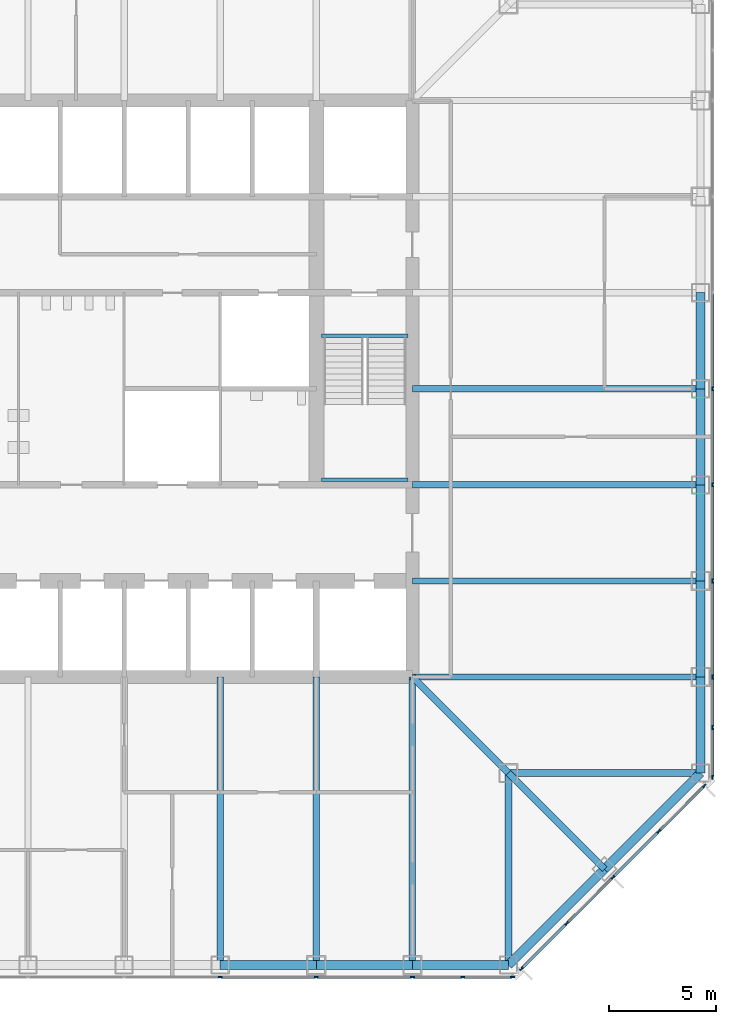
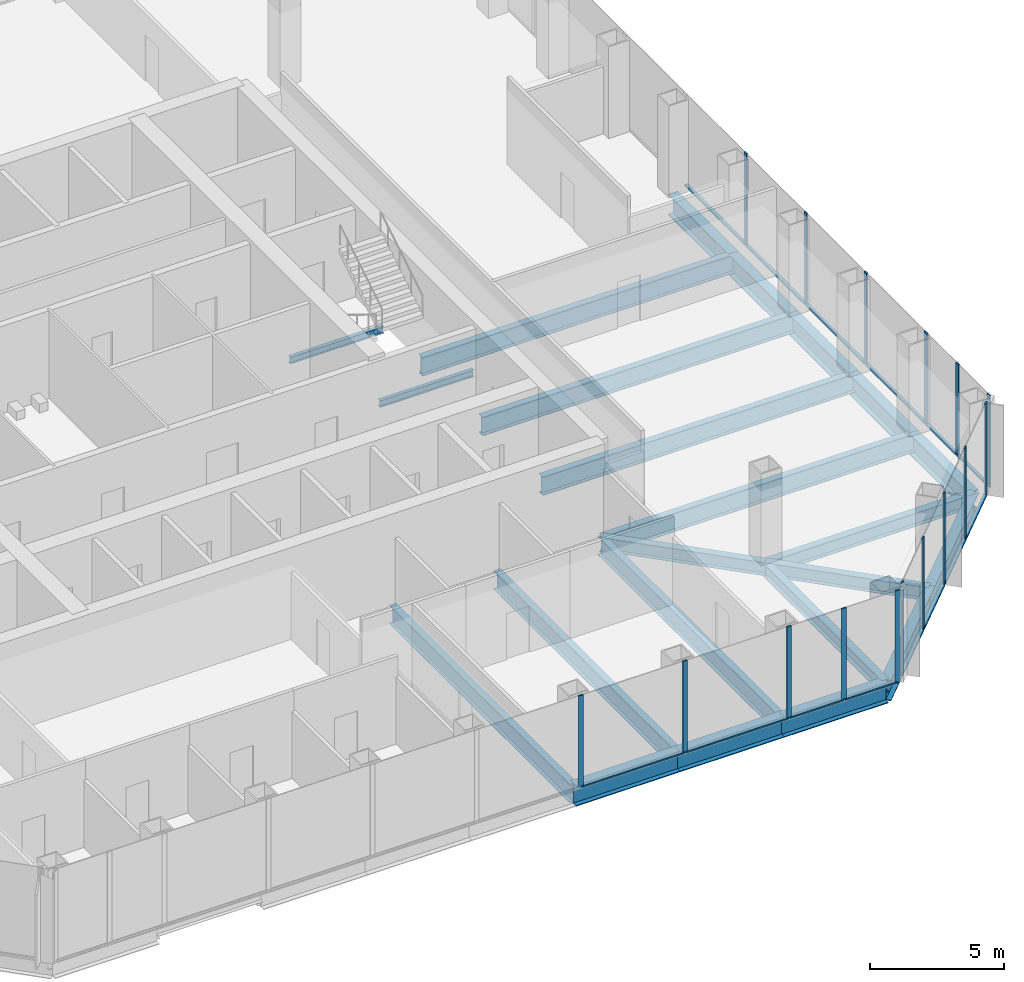
# One storey, part 4 of 12: 30 members, 23 beams, 3 elements without a shape of their own.
"""IFC4 building model written with IfcOpenShell, lengths in metres."""

import ifcopenshell
import ifcopenshell.guid

model = None  # the IFC model being written
_history = None  # IfcOwnerHistory: only IFC2X3 demands one
_inside = {}  # id of a spatial element -> (the spatial element, [elements in it])
_under = {}  # id of a project, library or spatial element -> (it, [spatial elements below it])
_declared = {}  # id of a project -> (the project, [libraries it declares])
_typed = {}  # id of a type object -> (the type object, [elements of that type])
_made_of = {}  # id of a material, layer set ... -> (it, [elements and type objects made of it])


def new_model(schema):
    """Start an empty IFC model of exactly this schema.

    Asked for "IFC4X3", IfcOpenShell would pick the latest addendum, in which some entities
    have other attributes; the version numbers below select the first issue.
    IFC2X3 requires an IfcOwnerHistory on every rooted entity: one is made here for all.
    """
    global model, _history
    if schema == "IFC4X3":
        model = ifcopenshell.file(schema_version=(4, 3, 0, 0))
    else:
        model = ifcopenshell.file(schema=schema)
    _inside.clear()
    _under.clear()
    _declared.clear()
    _typed.clear()
    _made_of.clear()
    _history = None
    if model.schema == "IFC2X3":
        org = make("IfcOrganization", Name="unknown")
        user = make(
            "IfcPersonAndOrganization",
            ThePerson=make("IfcPerson", FamilyName="unknown"),
            TheOrganization=org,
        )
        app = make(
            "IfcApplication",
            ApplicationDeveloper=org,
            Version="unknown",
            ApplicationFullName="unknown",
            ApplicationIdentifier="unknown",
        )
        _history = make(
            "IfcOwnerHistory",
            OwningUser=user,
            OwningApplication=app,
            ChangeAction="ADDED",
            CreationDate=0,
        )
    return model


def make(cls, **values):
    """One entity of the class cls with the attributes given. An attribute that is None is left unset."""
    return model.create_entity(
        cls, **{name: value for name, value in values.items() if value is not None}
    )


def rooted(cls, **values):
    """An entity with a GlobalId (a new one), such as an element, a storey or a relation."""
    return make(cls, GlobalId=ifcopenshell.guid.new(), OwnerHistory=_history, **values)


def si_unit(unit_type, name, prefix=None):
    """IfcSIUnit, for example si_unit("LENGTHUNIT", "METRE", prefix="MILLI")."""
    return make("IfcSIUnit", UnitType=unit_type, Prefix=prefix, Name=name)


def assignment(units):
    """IfcUnitAssignment: the units of a project."""
    return None if units is None else make("IfcUnitAssignment", Units=units)


def point(xyz):
    """IfcCartesianPoint."""
    return None if xyz is None else make("IfcCartesianPoint", Coordinates=xyz)


def direction(xyz):
    """IfcDirection."""
    return None if xyz is None else make("IfcDirection", DirectionRatios=xyz)


def frame(location, z_axis=None, x_axis=None):
    """IfcAxis2Placement3D, a coordinate frame: its origin and axes. An axis left out is left unset."""
    return make(
        "IfcAxis2Placement3D",
        Location=point(location),
        Axis=direction(z_axis),
        RefDirection=direction(x_axis),
    )


def frame_2d(location, x_axis=None):
    """IfcAxis2Placement2D, a coordinate frame in the plane: its origin and x axis."""
    return make(
        "IfcAxis2Placement2D", Location=point(location), RefDirection=direction(x_axis)
    )


def origin():
    """The frame at (0, 0, 0) with its axes left unset."""
    return frame((0.0, 0.0, 0.0))


def origin_2d():
    """The frame at (0, 0) in the plane with its x axis left unset."""
    return frame_2d((0.0, 0.0))


def place(relative_to, where):
    """IfcLocalPlacement: puts the frame where relative to a parent placement (None: the world)."""
    return make(
        "IfcLocalPlacement", PlacementRelTo=relative_to, RelativePlacement=where
    )


def context(
    kind, dimensions, precision=None, world=None, true_north=None, identifier=None
):
    """IfcGeometricRepresentationContext, for example the 3D "Model" context."""
    return make(
        "IfcGeometricRepresentationContext",
        ContextIdentifier=identifier,
        ContextType=kind,
        CoordinateSpaceDimension=dimensions,
        Precision=precision,
        WorldCoordinateSystem=world,
        TrueNorth=true_north,
    )


def subcontext(parent, identifier, kind, view, scale=None):
    """IfcGeometricRepresentationSubContext, for example "Body" below "Model"."""
    return make(
        "IfcGeometricRepresentationSubContext",
        ContextIdentifier=identifier,
        ContextType=kind,
        ParentContext=parent,
        TargetScale=scale,
        TargetView=view,
    )


def project(units=None, contexts=None):
    """IfcProject with its units and contexts."""
    return rooted(
        "IfcProject",
        Name="project",
        RepresentationContexts=contexts,
        UnitsInContext=assignment(units),
    )


def spatial(cls, under=None, at=None, **own):
    """A site, building, storey or space (cls), placed at a placement, below another one or the project."""
    s = rooted(cls, ObjectPlacement=at, **own)
    if under is not None:
        _under.setdefault(under.id(), (under, []))[1].append(s)
    return s


def profile(cls, at=None, kind="AREA", **sizes):
    """A parametric profile (cls). Its sizes go by their IFC names, for example OverallWidth=200.0."""
    return make(cls, ProfileType=kind, Position=at, **sizes)


def rectangle(**sizes):
    """IfcRectangleProfileDef."""
    return profile("IfcRectangleProfileDef", **sizes)


def i_section(**sizes):
    """IfcIShapeProfileDef."""
    return profile("IfcIShapeProfileDef", **sizes)


def extrude(swept, where, along, depth):
    """IfcExtrudedAreaSolid: the profile swept, set in the frame where, extruded along a direction by depth."""
    return make(
        "IfcExtrudedAreaSolid",
        SweptArea=swept,
        Position=where,
        ExtrudedDirection=direction(along),
        Depth=depth,
    )


def shape(context_of_items, identifier, shape_type, items):
    """IfcShapeRepresentation: the items that make up one representation, for example the "Body"."""
    return make(
        "IfcShapeRepresentation",
        ContextOfItems=context_of_items,
        RepresentationIdentifier=identifier,
        RepresentationType=shape_type,
        Items=items,
    )


def material(Name=None, Category=None):
    """IfcMaterial."""
    return make("IfcMaterial", Name=Name, Category=Category)


def material_profile(
    of_material, cross_section, Name=None, Category=None, Priority=None
):
    """IfcMaterialProfile: a cross section and its material."""
    return make(
        "IfcMaterialProfile",
        Name=Name,
        Material=of_material,
        Profile=cross_section,
        Priority=Priority,
        Category=Category,
    )


def profile_set(profiles, Name=None, composite=None):
    """IfcMaterialProfileSet."""
    return make(
        "IfcMaterialProfileSet",
        Name=Name,
        MaterialProfiles=profiles,
        CompositeProfile=composite,
    )


def made_of(thing, what):
    """Note that an element or type object is made of a material, layer set ...; save() writes the relation."""
    if what is not None:
        _made_of.setdefault(what.id(), (what, []))[1].append(thing)
    return thing


def type_object(cls, material=None, **own):
    """A type object (cls), such as IfcWallType, which elements share."""
    return made_of(rooted(cls, **own), material)


def element(
    cls,
    number,
    at=None,
    inside=None,
    cuts=None,
    type_object=None,
    material=None,
    context=None,
    identifier="Body",
    shape_type=None,
    held_by="IfcProductDefinitionShape",
    body=None,
    shapes=None,
    **own,
):
    """One element of the class cls, such as IfcWall. Its Tag is "e" and its number.

    at: its placement. inside: the storey or other place that contains it. cuts: it is an
    opening in that element (IfcRelVoidsElement). A single representation is given by context,
    identifier, shape_type and body (its items); several are given by shapes. held_by: the class
    of the entity that holds the representations. save() writes the other relations.
    """
    e = rooted(cls, Tag="e%d" % number, ObjectPlacement=at, **own)
    if body is not None:
        shapes = [shape(context, identifier, shape_type, body)]
    if shapes is not None:
        e.Representation = make(held_by, Representations=shapes)
    if inside is not None:
        _inside.setdefault(inside.id(), (inside, []))[1].append(e)
    if cuts is not None:
        rooted(
            "IfcRelVoidsElement", RelatingBuildingElement=cuts, RelatedOpeningElement=e
        )
    if type_object is not None:
        _typed.setdefault(type_object.id(), (type_object, []))[1].append(e)
    return made_of(e, material)


def aggregate(whole, parts):
    """IfcRelAggregates: a whole, such as a stair, and the parts it consists of."""
    return rooted("IfcRelAggregates", RelatingObject=whole, RelatedObjects=parts)


def save(model, path):
    """Write the relations noted so far, then the file.

    IfcRelAggregates (storeys below a building ...), IfcRelContainedInSpatialStructure (elements
    in a storey), IfcRelDefinesByType, IfcRelAssociatesMaterial and IfcRelDeclares: one each for
    every whole, place, type object, material and project.
    """
    for whole, parts in _under.values():
        aggregate(whole, parts)
    for where, things in _inside.values():
        rooted(
            "IfcRelContainedInSpatialStructure",
            RelatedElements=things,
            RelatingStructure=where,
        )
    for kind, things in _typed.values():
        rooted("IfcRelDefinesByType", RelatedObjects=things, RelatingType=kind)
    for what, things in _made_of.values():
        rooted("IfcRelAssociatesMaterial", RelatedObjects=things, RelatingMaterial=what)
    for by, libraries in _declared.values():
        rooted("IfcRelDeclares", RelatingContext=by, RelatedDefinitions=libraries)
    model.write(path)


model = new_model("IFC4")

# Units and contexts
model_context = context("Model", 3, precision=1e-05, world=origin(), true_north=direction((0.0, 1.0)))
body_context = subcontext(model_context, "Body", "Model", "MODEL_VIEW")
ifc_project = project(units=[si_unit("LENGTHUNIT", "METRE"), si_unit("AREAUNIT", "SQUARE_METRE"), si_unit("VOLUMEUNIT", "CUBIC_METRE"), si_unit("PLANEANGLEUNIT", "RADIAN"), si_unit("MASSUNIT", "GRAM", prefix="KILO")], contexts=[model_context])

# Site, building, storey
site_placement = place(None, origin())
site = spatial("IfcSite", under=ifc_project, at=site_placement, CompositionType="ELEMENT")
building_placement = place(site_placement, origin())
building = spatial("IfcBuilding", under=site, at=building_placement, Name="Corais Broadcast Tower", CompositionType="ELEMENT")
storey_placement = place(building_placement, frame((0.0, 0.0, 100.39990234375)))
storey = spatial("IfcBuildingStorey", under=building, at=storey_placement, Name="L22", CompositionType="ELEMENT", Elevation=100.39990234375)

# Beams
ifc_material_1 = material(Name="Steel ASTM A572 Grade 50", Category="steel")
ifc_material_profile_1 = material_profile(ifc_material_1, i_section(OverallWidth=0.323974609375, OverallDepth=0.611083984375, WebThickness=0.0126953125, FlangeThickness=0.01904296875, at=origin_2d()), Name="W610x155")
ifc_profile_set_1 = profile_set([ifc_material_profile_1], Name="Steel ASTM A572 Grade 50")
beam_type_1 = type_object("IfcBeamType", Name="Chamfer tie W610x155", PredefinedType="BEAM", material=ifc_profile_set_1)
beam_1_placement = place(storey_placement, frame((49.5, 4.5, -0.46533203125), z_axis=(-0.707106781187, 0.707106781187, 0.0), x_axis=(-0.707106781187, -0.707106781187, 0.0)))
element("IfcBeam", 1, at=beam_1_placement, inside=storey, type_object=beam_type_1, Name="B5 B/14 to C/13", PredefinedType="BEAM", context=body_context, shape_type="SweptSolid", body=[
    extrude(i_section(OverallWidth=0.323974609375, OverallDepth=0.611083984375, WebThickness=0.0126953125, FlangeThickness=0.01904296875, at=origin_2d()), origin(), (0.0, 0.0, 1.0), 6.364013671875),
])
ifc_material_2 = material(Name="Steel ASTM A572 Grade 50", Category="steel")
ifc_material_profile_2 = material_profile(ifc_material_2, i_section(OverallWidth=0.323974609375, OverallDepth=0.611083984375, WebThickness=0.0126953125, FlangeThickness=0.01904296875, at=origin_2d()), Name="W610x155")
ifc_profile_set_2 = profile_set([ifc_material_profile_2], Name="Steel ASTM A572 Grade 50")
beam_type_2 = type_object("IfcBeamType", Name="Corner diagonal W610x155", PredefinedType="BEAM", material=ifc_profile_set_2)
beam_2_placement = place(storey_placement, frame((45.0, 9.0, -0.46533203125), z_axis=(-0.707106781187, 0.707106781187, 0.0), x_axis=(-0.707106781187, -0.707106781187, 0.0)))
element("IfcBeam", 2, at=beam_2_placement, inside=storey, type_object=beam_type_2, Name="B6 C/13 to D/12", PredefinedType="BEAM", context=body_context, shape_type="SweptSolid", body=[
    extrude(i_section(OverallWidth=0.323974609375, OverallDepth=0.611083984375, WebThickness=0.0126953125, FlangeThickness=0.01904296875, at=origin_2d()), origin(), (0.0, 0.0, 1.0), 6.364013671875),
])
ifc_material_3 = material(Name="Steel ASTM A572 Grade 50", Category="steel")
ifc_material_profile_3 = material_profile(ifc_material_3, i_section(OverallWidth=0.323974609375, OverallDepth=0.611083984375, WebThickness=0.0126953125, FlangeThickness=0.01904296875, at=origin_2d()), Name="W610x155")
ifc_profile_set_3 = profile_set([ifc_material_profile_3], Name="Steel ASTM A572 Grade 50")
beam_type_3 = type_object("IfcBeamType", Name="Corner girder W610x155", PredefinedType="BEAM", material=ifc_profile_set_3)
for number, where, z_axis, x_axis, name in (
    (3, (45.0, 0.0, -0.46533203125), (0.0, 1.0, 0.0), (-1.0, 0.0, 0.0), "B4 A/13 to C/13"),
    (4, (54.0, 9.0, -0.46533203125), (-1.0, 0.0, 0.0), (0.0, -1.0, 0.0), "B4 C/15 to C/13"),
):
    element("IfcBeam", number, at=place(storey_placement, frame(where, z_axis=z_axis, x_axis=x_axis)), inside=storey, type_object=beam_type_3, Name=name, PredefinedType="BEAM", context=body_context, shape_type="SweptSolid", body=[
        extrude(i_section(OverallWidth=0.323974609375, OverallDepth=0.611083984375, WebThickness=0.0126953125, FlangeThickness=0.01904296875, at=origin_2d()), origin(), (0.0, 0.0, 1.0), 9.0),
    ])
ifc_material_4 = material(Name="Steel ASTM A572 Grade 50", Category="steel")
ifc_material_profile_4 = material_profile(ifc_material_4, i_section(OverallWidth=0.2939453125, OverallDepth=0.85107421875, WebThickness=0.01611328125, FlangeThickness=0.02685546875, at=origin_2d()), Name="W840x226")
ifc_profile_set_4 = profile_set([ifc_material_profile_4], Name="Steel ASTM A572 Grade 50")
beam_type_4 = type_object("IfcBeamType", Name="Floor beam W840x226", PredefinedType="BEAM", material=ifc_profile_set_4)
for number, where, z_axis, x_axis, name in (
    (5, (31.5, 0.0, -0.58544921875), (0.0, 1.0, 0.0), (-1.0, 0.0, 0.0), "B1 A/10 to D/10"),
    (6, (36.0, 0.0, -0.58544921875), (0.0, 1.0, 0.0), (-1.0, 0.0, 0.0), "B1 A/11 to D/11"),
    (7, (40.5, 0.0, -0.58544921875), (0.0, 1.0, 0.0), (-1.0, 0.0, 0.0), "B1 A/12 to D/12"),
    (8, (54.0, 13.5, -0.58544921875), (-1.0, 0.0, 0.0), (0.0, -1.0, 0.0), "B1 D/15 to D/12"),
    (9, (54.0, 18.0, -0.58544921875), (-1.0, 0.0, 0.0), (0.0, -1.0, 0.0), "B1 E/15 to E/12"),
    (10, (54.0, 22.5, -0.58544921875), (-1.0, 0.0, 0.0), (0.0, -1.0, 0.0), "B1 F/15 to F/12"),
    (11, (54.0, 27.0, -0.58544921875), (-1.0, 0.0, 0.0), (0.0, -1.0, 0.0), "B1 G/15 to G/12"),
):
    element("IfcBeam", number, at=place(storey_placement, frame(where, z_axis=z_axis, x_axis=x_axis)), inside=storey, type_object=beam_type_4, Name=name, PredefinedType="BEAM", context=body_context, shape_type="SweptSolid", body=[
        extrude(i_section(OverallWidth=0.2939453125, OverallDepth=0.85107421875, WebThickness=0.01611328125, FlangeThickness=0.02685546875, at=origin_2d()), origin(), (0.0, 0.0, 1.0), 13.5),
    ])
ifc_material_5 = material(Name="Steel ASTM A572 Grade 50", Category="steel")
ifc_material_profile_5 = material_profile(ifc_material_5, i_section(OverallWidth=0.1650390625, OverallDepth=0.31005859375, WebThickness=0.005859375, FlangeThickness=0.009765625, at=origin_2d()), Name="W310x38.7")
ifc_profile_set_5 = profile_set([ifc_material_profile_5], Name="Steel ASTM A572 Grade 50")
beam_type_5 = type_object("IfcBeamType", Name="Landing trimmer W310x38.7", PredefinedType="BEAM", material=ifc_profile_set_5)
for number, where, z_axis, x_axis, name in (
    (12, (36.25, 29.47509765625, -0.35498046875), (1.0, 0.0, 0.0), (0.0, 1.0, 0.0), "LT1 stair B landing trimmer L22"),
    (13, (36.25, 22.739990234375, 1.7451171875), (1.0, 0.0, 0.0), (0.0, 1.0, 0.0), "LT1 stair B half landing trimmer L22"),
):
    element("IfcBeam", number, at=place(storey_placement, frame(where, z_axis=z_axis, x_axis=x_axis)), inside=storey, type_object=beam_type_5, Name=name, PredefinedType="BEAM", context=body_context, shape_type="SweptSolid", body=[
        extrude(i_section(OverallWidth=0.1650390625, OverallDepth=0.31005859375, WebThickness=0.005859375, FlangeThickness=0.009765625, at=origin_2d()), origin(), (0.0, 0.0, 1.0), 4.050048828125),
    ])

# Curtain wall, members
ifc_material_6 = material(Name="Aluminium and glass", Category="aluminium")
curtain_wall_type = type_object("IfcCurtainWallType", Name="Unitised fritted curtain wall CW1", PredefinedType="NOTDEFINED", material=ifc_material_6)
curtain_wall_1_placement = place(storey_placement, origin())
curtain_wall_1 = element("IfcCurtainWall", 14, at=curtain_wall_1_placement, inside=storey, type_object=curtain_wall_type, Name="CW1 curtain wall L22 6", PredefinedType="NOTDEFINED")
ifc_material_7 = material(Name="Aluminium 6063-T6", Category="aluminium")
ifc_material_profile_6 = material_profile(ifc_material_7, rectangle(XDim=0.06494140625, YDim=0.199951171875, at=origin_2d()), Name="Mullion CW1 65x200")
ifc_profile_set_6 = profile_set([ifc_material_profile_6], Name="Aluminium 6063-T6")
member_type_1 = type_object("IfcMemberType", Name="Mullion CW1 65x200", PredefinedType="MULLION", material=ifc_profile_set_6)
member_1_placement = place(storey_placement, frame((54.550048828125, 27.0, 0.0), z_axis=(0.0, 0.0, 1.0), x_axis=(1.0, 0.0, 0.0)))
member_1 = element("IfcMember", 15, at=member_1_placement, type_object=member_type_1, Name="CW1 mullion 6", PredefinedType="MULLION", context=body_context, shape_type="SweptSolid", body=[
    extrude(rectangle(XDim=0.06494140625, YDim=0.199951171875, at=origin_2d()), origin(), (0.0, 0.0, 1.0), 4.2001953125),
])
member_2_placement = place(storey_placement, frame((54.550048828125, 22.5, 0.0), z_axis=(0.0, 0.0, 1.0), x_axis=(1.0, 0.0, 0.0)))
member_2 = element("IfcMember", 16, at=member_2_placement, type_object=member_type_1, Name="CW1 mullion 7", PredefinedType="MULLION", context=body_context, shape_type="SweptSolid", body=[
    extrude(rectangle(XDim=0.06494140625, YDim=0.199951171875, at=origin_2d()), origin(), (0.0, 0.0, 1.0), 4.2001953125),
])
member_3_placement = place(storey_placement, frame((54.550048828125, 18.0, 0.0), z_axis=(0.0, 0.0, 1.0), x_axis=(1.0, 0.0, 0.0)))
member_3 = element("IfcMember", 17, at=member_3_placement, type_object=member_type_1, Name="CW1 mullion 8", PredefinedType="MULLION", context=body_context, shape_type="SweptSolid", body=[
    extrude(rectangle(XDim=0.06494140625, YDim=0.199951171875, at=origin_2d()), origin(), (0.0, 0.0, 1.0), 4.2001953125),
])
member_4_placement = place(storey_placement, frame((54.550048828125, 13.5, 0.0), z_axis=(0.0, 0.0, 1.0), x_axis=(1.0, 0.0, 0.0)))
member_4 = element("IfcMember", 18, at=member_4_placement, type_object=member_type_1, Name="CW1 mullion 9", PredefinedType="MULLION", context=body_context, shape_type="SweptSolid", body=[
    extrude(rectangle(XDim=0.06494140625, YDim=0.199951171875, at=origin_2d()), origin(), (0.0, 0.0, 1.0), 4.2001953125),
])
member_5_placement = place(storey_placement, frame((54.550048828125, 11.135986328125, 0.0), z_axis=(0.0, 0.0, 1.0), x_axis=(1.0, 0.0, 0.0)))
member_5 = element("IfcMember", 19, at=member_5_placement, type_object=member_type_1, Name="CW1 mullion 10", PredefinedType="MULLION", context=body_context, shape_type="SweptSolid", body=[
    extrude(rectangle(XDim=0.06494140625, YDim=0.199951171875, at=origin_2d()), origin(), (0.0, 0.0, 1.0), 4.2001953125),
])
member_6_placement = place(storey_placement, frame((54.550048828125, 8.8046875, 0.0), z_axis=(0.0, 0.0, 1.0), x_axis=(1.0, 0.0, 0.0)))
member_6 = element("IfcMember", 20, at=member_6_placement, type_object=member_type_1, Name="CW1 mullion 11", PredefinedType="MULLION", context=body_context, shape_type="SweptSolid", body=[
    extrude(rectangle(XDim=0.06494140625, YDim=0.199951171875, at=origin_2d()), origin(), (0.0, 0.0, 1.0), 4.2001953125),
])

curtain_wall_2_placement = place(storey_placement, origin())
curtain_wall_2 = element("IfcCurtainWall", 21, at=curtain_wall_2_placement, inside=storey, type_object=curtain_wall_type, Name="CW1 curtain wall L22 7", PredefinedType="NOTDEFINED")
member_7_placement = place(storey_placement, frame((54.17333984375, 8.3955078125, 0.0), z_axis=(0.0, 0.0, 1.0), x_axis=(0.707106781187, -0.707106781187, 0.0)))
member_7 = element("IfcMember", 22, at=member_7_placement, type_object=member_type_1, Name="CW1 mullion 1", PredefinedType="MULLION", context=body_context, shape_type="SweptSolid", body=[
    extrude(rectangle(XDim=0.06494140625, YDim=0.199951171875, at=origin_2d()), origin(), (0.0, 0.0, 1.0), 4.2001953125),
])
member_8_placement = place(storey_placement, frame((52.042724609375, 6.264892578125, 0.0), z_axis=(0.0, 0.0, 1.0), x_axis=(0.707106781187, -0.707106781187, 0.0)))
member_8 = element("IfcMember", 23, at=member_8_placement, type_object=member_type_1, Name="CW1 mullion 2", PredefinedType="MULLION", context=body_context, shape_type="SweptSolid", body=[
    extrude(rectangle(XDim=0.06494140625, YDim=0.199951171875, at=origin_2d()), origin(), (0.0, 0.0, 1.0), 4.2001953125),
])
member_9_placement = place(storey_placement, frame((49.888916015625, 4.111083984375, 0.0), z_axis=(0.0, 0.0, 1.0), x_axis=(0.707106781187, -0.707106781187, 0.0)))
member_9 = element("IfcMember", 24, at=member_9_placement, type_object=member_type_1, Name="CW1 mullion 3", PredefinedType="MULLION", context=body_context, shape_type="SweptSolid", body=[
    extrude(rectangle(XDim=0.06494140625, YDim=0.199951171875, at=origin_2d()), origin(), (0.0, 0.0, 1.0), 4.2001953125),
])
member_10_placement = place(storey_placement, frame((47.735107421875, 1.957275390625, 0.0), z_axis=(0.0, 0.0, 1.0), x_axis=(0.707106781187, -0.707106781187, 0.0)))
member_10 = element("IfcMember", 25, at=member_10_placement, type_object=member_type_1, Name="CW1 mullion 4", PredefinedType="MULLION", context=body_context, shape_type="SweptSolid", body=[
    extrude(rectangle(XDim=0.06494140625, YDim=0.199951171875, at=origin_2d()), origin(), (0.0, 0.0, 1.0), 4.2001953125),
])
member_11_placement = place(storey_placement, frame((45.6044921875, -0.17333984375, 0.0), z_axis=(0.0, 0.0, 1.0), x_axis=(0.707106781187, -0.707106781187, 0.0)))
member_11 = element("IfcMember", 26, at=member_11_placement, type_object=member_type_1, Name="CW1 mullion 5", PredefinedType="MULLION", context=body_context, shape_type="SweptSolid", body=[
    extrude(rectangle(XDim=0.06494140625, YDim=0.199951171875, at=origin_2d()), origin(), (0.0, 0.0, 1.0), 4.2001953125),
])

curtain_wall_3_placement = place(storey_placement, origin())
curtain_wall_3 = element("IfcCurtainWall", 27, at=curtain_wall_3_placement, inside=storey, type_object=curtain_wall_type, Name="CW1 curtain wall L22 8", PredefinedType="NOTDEFINED")
member_12_placement = place(storey_placement, frame((45.1953125, -0.550048828125, 0.0), z_axis=(0.0, 0.0, 1.0), x_axis=(0.0, -1.0, 0.0)))
member_12 = element("IfcMember", 28, at=member_12_placement, type_object=member_type_1, Name="CW1 mullion 1", PredefinedType="MULLION", context=body_context, shape_type="SweptSolid", body=[
    extrude(rectangle(XDim=0.06494140625, YDim=0.199951171875, at=origin_2d()), origin(), (0.0, 0.0, 1.0), 4.2001953125),
])
member_13_placement = place(storey_placement, frame((42.864013671875, -0.550048828125, 0.0), z_axis=(0.0, 0.0, 1.0), x_axis=(0.0, -1.0, 0.0)))
member_13 = element("IfcMember", 29, at=member_13_placement, type_object=member_type_1, Name="CW1 mullion 2", PredefinedType="MULLION", context=body_context, shape_type="SweptSolid", body=[
    extrude(rectangle(XDim=0.06494140625, YDim=0.199951171875, at=origin_2d()), origin(), (0.0, 0.0, 1.0), 4.2001953125),
])
member_14_placement = place(storey_placement, frame((40.5, -0.550048828125, 0.0), z_axis=(0.0, 0.0, 1.0), x_axis=(0.0, -1.0, 0.0)))
member_14 = element("IfcMember", 30, at=member_14_placement, type_object=member_type_1, Name="CW1 mullion 3", PredefinedType="MULLION", context=body_context, shape_type="SweptSolid", body=[
    extrude(rectangle(XDim=0.06494140625, YDim=0.199951171875, at=origin_2d()), origin(), (0.0, 0.0, 1.0), 4.2001953125),
])
member_15_placement = place(storey_placement, frame((36.0, -0.550048828125, 0.0), z_axis=(0.0, 0.0, 1.0), x_axis=(0.0, -1.0, 0.0)))
member_15 = element("IfcMember", 31, at=member_15_placement, type_object=member_type_1, Name="CW1 mullion 4", PredefinedType="MULLION", context=body_context, shape_type="SweptSolid", body=[
    extrude(rectangle(XDim=0.06494140625, YDim=0.199951171875, at=origin_2d()), origin(), (0.0, 0.0, 1.0), 4.2001953125),
])
member_16_placement = place(storey_placement, frame((31.5, -0.550048828125, 0.0), z_axis=(0.0, 0.0, 1.0), x_axis=(0.0, -1.0, 0.0)))
member_16 = element("IfcMember", 32, at=member_16_placement, type_object=member_type_1, Name="CW1 mullion 5", PredefinedType="MULLION", context=body_context, shape_type="SweptSolid", body=[
    extrude(rectangle(XDim=0.06494140625, YDim=0.199951171875, at=origin_2d()), origin(), (0.0, 0.0, 1.0), 4.2001953125),
])

# Beams
ifc_material_8 = material(Name="Steel ASTM A572 Grade 50", Category="steel")
ifc_material_profile_7 = material_profile(ifc_material_8, i_section(OverallWidth=0.4189453125, OverallDepth=0.94189453125, WebThickness=0.022216796875, FlangeThickness=0.03662109375, at=origin_2d()), Name="W920x345")
ifc_profile_set_7 = profile_set([ifc_material_profile_7], Name="Steel ASTM A572 Grade 50")
beam_type_6 = type_object("IfcBeamType", Name="Transfer spandrel W920x345", PredefinedType="BEAM", material=ifc_profile_set_7)
for number, where, z_axis, x_axis, name in (
    (33, (31.5, 0.0, -0.630859375), (1.0, 0.0, 0.0), (0.0, 1.0, 0.0), "SB4 A/10 to A/11"),
    (34, (36.0, 0.0, -0.630859375), (1.0, 0.0, 0.0), (0.0, 1.0, 0.0), "SB4 A/11 to A/12"),
    (35, (40.5, 0.0, -0.630859375), (1.0, 0.0, 0.0), (0.0, 1.0, 0.0), "SB4 A/12 to A/13"),
):
    element("IfcBeam", number, at=place(storey_placement, frame(where, z_axis=z_axis, x_axis=x_axis)), inside=storey, type_object=beam_type_6, Name=name, PredefinedType="BEAM", context=body_context, shape_type="SweptSolid", body=[
        extrude(i_section(OverallWidth=0.4189453125, OverallDepth=0.94189453125, WebThickness=0.022216796875, FlangeThickness=0.03662109375, at=origin_2d()), origin(), (0.0, 0.0, 1.0), 4.5),
    ])
for number, where, z_axis, x_axis, name in (
    (36, (45.0, 0.0, -0.630859375), (0.707106781187, 0.707106781187, 0.0), (-0.707106781187, 0.707106781187, 0.0), "SB4 A/13 to B/14"),
    (37, (49.5, 4.5, -0.630859375), (0.707106781187, 0.707106781187, 0.0), (-0.707106781187, 0.707106781187, 0.0), "SB4 B/14 to C/15"),
):
    element("IfcBeam", number, at=place(storey_placement, frame(where, z_axis=z_axis, x_axis=x_axis)), inside=storey, type_object=beam_type_6, Name=name, PredefinedType="BEAM", context=body_context, shape_type="SweptSolid", body=[
        extrude(i_section(OverallWidth=0.4189453125, OverallDepth=0.94189453125, WebThickness=0.022216796875, FlangeThickness=0.03662109375, at=origin_2d()), origin(), (0.0, 0.0, 1.0), 6.364013671875),
    ])
for number, where, z_axis, x_axis, name in (
    (38, (54.0, 13.5, -0.630859375), (0.0, 1.0, 0.0), (-1.0, 0.0, 0.0), "SB4 D/15 to E/15"),
    (39, (54.0, 18.0, -0.630859375), (0.0, 1.0, 0.0), (-1.0, 0.0, 0.0), "SB4 E/15 to F/15"),
    (40, (54.0, 22.5, -0.630859375), (0.0, 1.0, 0.0), (-1.0, 0.0, 0.0), "SB4 F/15 to G/15"),
    (41, (54.0, 27.0, -0.630859375), (0.0, 1.0, 0.0), (-1.0, 0.0, 0.0), "SB4 G/15 to H/15"),
    (42, (54.0, 9.0, -0.630859375), (0.0, 1.0, 0.0), (-1.0, 0.0, 0.0), "SB4 C/15 to D/15"),
):
    element("IfcBeam", number, at=place(storey_placement, frame(where, z_axis=z_axis, x_axis=x_axis)), inside=storey, type_object=beam_type_6, Name=name, PredefinedType="BEAM", context=body_context, shape_type="SweptSolid", body=[
        extrude(i_section(OverallWidth=0.4189453125, OverallDepth=0.94189453125, WebThickness=0.022216796875, FlangeThickness=0.03662109375, at=origin_2d()), origin(), (0.0, 0.0, 1.0), 4.5),
    ])

# Member
ifc_material_9 = material(Name="Aluminium 6063-T6", Category="aluminium")
ifc_material_profile_8 = material_profile(ifc_material_9, rectangle(XDim=0.139892578125, YDim=0.06494140625, at=origin_2d()), Name="Transom CW1 65x140")
ifc_profile_set_8 = profile_set([ifc_material_profile_8], Name="Aluminium 6063-T6")
member_type_2 = type_object("IfcMemberType", Name="Transom CW1 65x140", PredefinedType="USERDEFINED", material=ifc_profile_set_8)
member_17_placement = place(storey_placement, frame((54.550048828125, 31.467529296875, 0.03271484375), z_axis=(0.0, -1.0, 0.0), x_axis=(1.0, 0.0, 0.0)))
member_17 = element("IfcMember", 43, at=member_17_placement, type_object=member_type_2, Name="CW1 transom 5.1", ObjectType="TRANSOM", PredefinedType="USERDEFINED", context=body_context, shape_type="SweptSolid", body=[
    extrude(rectangle(XDim=0.139892578125, YDim=0.06494140625, at=origin_2d()), origin(), (0.0, 0.0, 1.0), 4.43505859375),
])

member_18_placement = place(storey_placement, frame((54.550048828125, 26.967529296875, 0.03271484375), z_axis=(0.0, -1.0, 0.0), x_axis=(1.0, 0.0, 0.0)))
member_18 = element("IfcMember", 44, at=member_18_placement, type_object=member_type_2, Name="CW1 transom 6.1", ObjectType="TRANSOM", PredefinedType="USERDEFINED", context=body_context, shape_type="SweptSolid", body=[
    extrude(rectangle(XDim=0.139892578125, YDim=0.06494140625, at=origin_2d()), origin(), (0.0, 0.0, 1.0), 4.43505859375),
])

member_19_placement = place(storey_placement, frame((54.550048828125, 22.467529296875, 0.03271484375), z_axis=(0.0, -1.0, 0.0), x_axis=(1.0, 0.0, 0.0)))
member_19 = element("IfcMember", 45, at=member_19_placement, type_object=member_type_2, Name="CW1 transom 7.1", ObjectType="TRANSOM", PredefinedType="USERDEFINED", context=body_context, shape_type="SweptSolid", body=[
    extrude(rectangle(XDim=0.139892578125, YDim=0.06494140625, at=origin_2d()), origin(), (0.0, 0.0, 1.0), 4.43505859375),
])

member_20_placement = place(storey_placement, frame((54.550048828125, 17.967529296875, 0.03271484375), z_axis=(0.0, -1.0, 0.0), x_axis=(1.0, 0.0, 0.0)))
member_20 = element("IfcMember", 46, at=member_20_placement, type_object=member_type_2, Name="CW1 transom 8.1", ObjectType="TRANSOM", PredefinedType="USERDEFINED", context=body_context, shape_type="SweptSolid", body=[
    extrude(rectangle(XDim=0.139892578125, YDim=0.06494140625, at=origin_2d()), origin(), (0.0, 0.0, 1.0), 4.43505859375),
])

member_21_placement = place(storey_placement, frame((54.550048828125, 13.467529296875, 0.03271484375), z_axis=(0.0, -1.0, 0.0), x_axis=(1.0, 0.0, 0.0)))
member_21 = element("IfcMember", 47, at=member_21_placement, type_object=member_type_2, Name="CW1 transom 9.1", ObjectType="TRANSOM", PredefinedType="USERDEFINED", context=body_context, shape_type="SweptSolid", body=[
    extrude(rectangle(XDim=0.139892578125, YDim=0.06494140625, at=origin_2d()), origin(), (0.0, 0.0, 1.0), 2.298828125),
])

member_22_placement = place(storey_placement, frame((54.550048828125, 11.103515625, 0.03271484375), z_axis=(0.0, -1.0, 0.0), x_axis=(1.0, 0.0, 0.0)))
member_22 = element("IfcMember", 48, at=member_22_placement, type_object=member_type_2, Name="CW1 transom 10.1", ObjectType="TRANSOM", PredefinedType="USERDEFINED", context=body_context, shape_type="SweptSolid", body=[
    extrude(rectangle(XDim=0.139892578125, YDim=0.06494140625, at=origin_2d()), origin(), (0.0, 0.0, 1.0), 2.266357421875),
])

aggregate(curtain_wall_1, [member_1, member_2, member_3, member_4, member_5, member_6, member_17, member_18, member_19, member_20, member_21, member_22])

member_23_placement = place(storey_placement, frame((54.150390625, 8.37255859375, 0.03271484375), z_axis=(-0.707106781187, -0.707106781187, 0.0), x_axis=(0.707106781187, -0.707106781187, 0.0)))
member_23 = element("IfcMember", 49, at=member_23_placement, type_object=member_type_2, Name="CW1 transom 1.1", ObjectType="TRANSOM", PredefinedType="USERDEFINED", context=body_context, shape_type="SweptSolid", body=[
    extrude(rectangle(XDim=0.139892578125, YDim=0.06494140625, at=origin_2d()), origin(), (0.0, 0.0, 1.0), 2.9482421875),
])

member_24_placement = place(storey_placement, frame((52.019775390625, 6.241943359375, 0.03271484375), z_axis=(-0.707106781187, -0.707106781187, 0.0), x_axis=(0.707106781187, -0.707106781187, 0.0)))
member_24 = element("IfcMember", 50, at=member_24_placement, type_object=member_type_2, Name="CW1 transom 2.1", ObjectType="TRANSOM", PredefinedType="USERDEFINED", context=body_context, shape_type="SweptSolid", body=[
    extrude(rectangle(XDim=0.139892578125, YDim=0.06494140625, at=origin_2d()), origin(), (0.0, 0.0, 1.0), 2.98095703125),
])

member_25_placement = place(storey_placement, frame((49.865966796875, 4.088134765625, 0.03271484375), z_axis=(-0.707106781187, -0.707106781187, 0.0), x_axis=(0.707106781187, -0.707106781187, 0.0)))
member_25 = element("IfcMember", 51, at=member_25_placement, type_object=member_type_2, Name="CW1 transom 3.1", ObjectType="TRANSOM", PredefinedType="USERDEFINED", context=body_context, shape_type="SweptSolid", body=[
    extrude(rectangle(XDim=0.139892578125, YDim=0.06494140625, at=origin_2d()), origin(), (0.0, 0.0, 1.0), 2.98095703125),
])

member_26_placement = place(storey_placement, frame((47.712158203125, 1.934326171875, 0.03271484375), z_axis=(-0.707106781187, -0.707106781187, 0.0), x_axis=(0.707106781187, -0.707106781187, 0.0)))
member_26 = element("IfcMember", 52, at=member_26_placement, type_object=member_type_2, Name="CW1 transom 4.1", ObjectType="TRANSOM", PredefinedType="USERDEFINED", context=body_context, shape_type="SweptSolid", body=[
    extrude(rectangle(XDim=0.139892578125, YDim=0.06494140625, at=origin_2d()), origin(), (0.0, 0.0, 1.0), 2.9482421875),
])

aggregate(curtain_wall_2, [member_7, member_8, member_9, member_10, member_11, member_23, member_24, member_25, member_26])

member_27_placement = place(storey_placement, frame((45.162841796875, -0.550048828125, 0.03271484375), z_axis=(-1.0, 0.0, 0.0), x_axis=(0.0, -1.0, 0.0)))
member_27 = element("IfcMember", 53, at=member_27_placement, type_object=member_type_2, Name="CW1 transom 1.1", ObjectType="TRANSOM", PredefinedType="USERDEFINED", context=body_context, shape_type="SweptSolid", body=[
    extrude(rectangle(XDim=0.139892578125, YDim=0.06494140625, at=origin_2d()), origin(), (0.0, 0.0, 1.0), 2.266357421875),
])

member_28_placement = place(storey_placement, frame((42.831298828125, -0.550048828125, 0.03271484375), z_axis=(-1.0, 0.0, 0.0), x_axis=(0.0, -1.0, 0.0)))
member_28 = element("IfcMember", 54, at=member_28_placement, type_object=member_type_2, Name="CW1 transom 2.1", ObjectType="TRANSOM", PredefinedType="USERDEFINED", context=body_context, shape_type="SweptSolid", body=[
    extrude(rectangle(XDim=0.139892578125, YDim=0.06494140625, at=origin_2d()), origin(), (0.0, 0.0, 1.0), 2.298828125),
])

member_29_placement = place(storey_placement, frame((40.467529296875, -0.550048828125, 0.03271484375), z_axis=(-1.0, 0.0, 0.0), x_axis=(0.0, -1.0, 0.0)))
member_29 = element("IfcMember", 55, at=member_29_placement, type_object=member_type_2, Name="CW1 transom 3.1", ObjectType="TRANSOM", PredefinedType="USERDEFINED", context=body_context, shape_type="SweptSolid", body=[
    extrude(rectangle(XDim=0.139892578125, YDim=0.06494140625, at=origin_2d()), origin(), (0.0, 0.0, 1.0), 4.43505859375),
])

member_30_placement = place(storey_placement, frame((35.967529296875, -0.550048828125, 0.03271484375), z_axis=(-1.0, 0.0, 0.0), x_axis=(0.0, -1.0, 0.0)))
member_30 = element("IfcMember", 56, at=member_30_placement, type_object=member_type_2, Name="CW1 transom 4.1", ObjectType="TRANSOM", PredefinedType="USERDEFINED", context=body_context, shape_type="SweptSolid", body=[
    extrude(rectangle(XDim=0.139892578125, YDim=0.06494140625, at=origin_2d()), origin(), (0.0, 0.0, 1.0), 4.43505859375),
])

aggregate(curtain_wall_3, [member_12, member_13, member_14, member_15, member_16, member_27, member_28, member_29, member_30])

save(model, "model.ifc")
